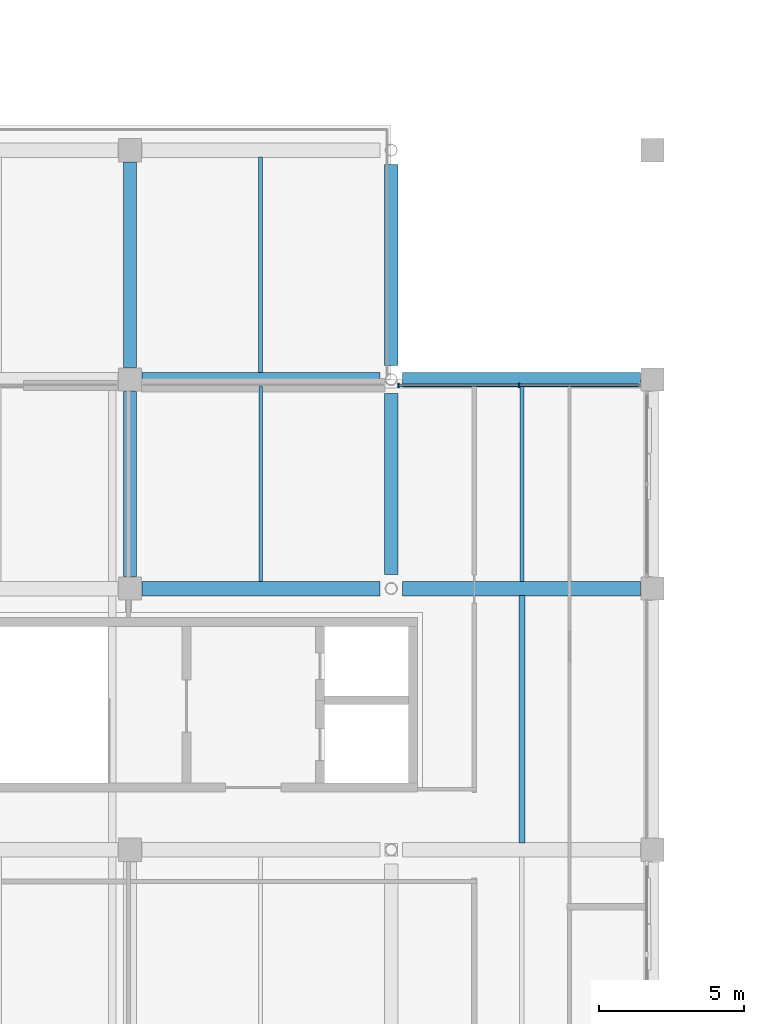
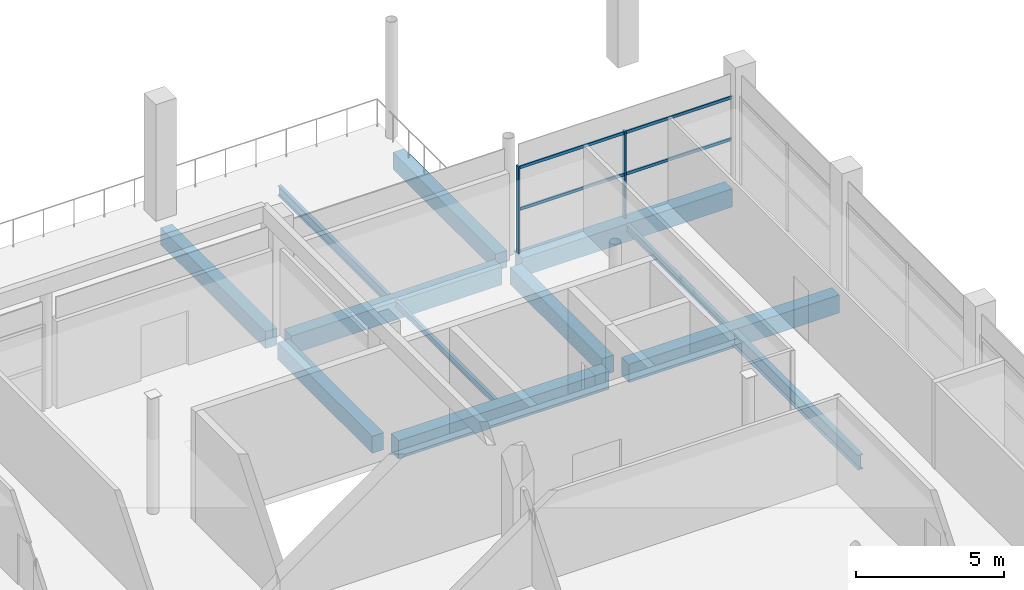
# One storey, part 29 of 114: 12 beams, 4 members, 1 element without a shape of its own.
"""IFC4 building model written with IfcOpenShell, lengths in metres."""

from ifc_helpers import new_model, si_unit, direction, frame, origin, origin_2d, place, context, subcontext, project, spatial, rectangle, i_section, extrude, material, material_profile, profile_set, type_object, element, aggregate, save


model = new_model("IFC4")

# Units and contexts
model_context = context("Model", 3, precision=1e-05, world=origin(), true_north=direction((0.0, 1.0)))
body_context = subcontext(model_context, "Body", "Model", "MODEL_VIEW")
ifc_project = project(units=[si_unit("LENGTHUNIT", "METRE"), si_unit("AREAUNIT", "SQUARE_METRE"), si_unit("VOLUMEUNIT", "CUBIC_METRE"), si_unit("PLANEANGLEUNIT", "RADIAN"), si_unit("MASSUNIT", "GRAM", prefix="KILO"), si_unit("THERMODYNAMICTEMPERATUREUNIT", "KELVIN"), si_unit("POWERUNIT", "WATT")], contexts=[model_context])

# Site, building, storey
site_placement = place(None, origin())
site = spatial("IfcSite", under=ifc_project, at=site_placement, CompositionType="ELEMENT")
building_placement = place(site_placement, origin())
building = spatial("IfcBuilding", under=site, at=building_placement, Name="Sindhuravela Promenade Stadium", CompositionType="ELEMENT")
storey_placement = place(building_placement, frame((0.0, 0.0, 24.0)))
storey = spatial("IfcBuildingStorey", under=building, at=storey_placement, Name="L05", CompositionType="ELEMENT", Elevation=24.0)

# Curtain wall, members
ifc_material_1 = material(Name="Anodised architectural aluminium 6063-T6", Category="aluminium")
curtain_wall_type = type_object("IfcCurtainWallType", Name="CW-MOD-4", PredefinedType="NOTDEFINED", material=ifc_material_1)
curtain_wall_placement = place(storey_placement, origin())
curtain_wall = element("IfcCurtainWall", 1, at=curtain_wall_placement, inside=storey, type_object=curtain_wall_type, Name="Bronze curtain wall CW-WEST-L05-075", PredefinedType="NOTDEFINED")
ifc_material_profile_1 = material_profile(ifc_material_1, rectangle(XDim=0.06005859375, YDim=0.159912109375, at=origin_2d()), Name="ALU M60x160")
ifc_profile_set_1 = profile_set([ifc_material_profile_1], Name="Anodised architectural aluminium 6063-T6")
member_type_1 = type_object("IfcMemberType", Name="CW-MUL-4", PredefinedType="MULLION", material=ifc_profile_set_1)
member_1_placement = place(storey_placement, frame((27.253173828125, 116.800048828125, 0.0), z_axis=(0.0, 0.0, 1.0), x_axis=(1.0, 0.0, 0.0)))
member_1 = element("IfcMember", 2, at=member_1_placement, type_object=member_type_1, Name="Curtain wall mullion CW-WEST-L05-075-M1", PredefinedType="MULLION", context=body_context, shape_type="SweptSolid", body=[
    extrude(rectangle(XDim=0.06005859375, YDim=0.159912109375, at=origin_2d()), origin(), (0.0, 0.0, 1.0), 3.580078125),
])
member_2_placement = place(storey_placement, frame((31.401611328125, 116.800048828125, 0.0), z_axis=(0.0, 0.0, 1.0), x_axis=(1.0, 0.0, 0.0)))
member_2 = element("IfcMember", 3, at=member_2_placement, type_object=member_type_1, Name="Curtain wall mullion CW-WEST-L05-075-M2", PredefinedType="MULLION", context=body_context, shape_type="SweptSolid", body=[
    extrude(rectangle(XDim=0.06005859375, YDim=0.159912109375, at=origin_2d()), origin(), (0.0, 0.0, 1.0), 3.580078125),
])
ifc_material_profile_2 = material_profile(ifc_material_1, rectangle(XDim=0.06005859375, YDim=0.1201171875, at=origin_2d()), Name="ALU T60x120")
ifc_profile_set_2 = profile_set([ifc_material_profile_2], Name="Anodised architectural aluminium 6063-T6")
member_type_2 = type_object("IfcMemberType", Name="CW-TRN-4", PredefinedType="USERDEFINED", material=ifc_profile_set_2)
member_3_placement = place(storey_placement, frame((27.228271484375, 116.800048828125, 1.7900390625), z_axis=(1.0, 0.0, 0.0), x_axis=(0.0, 1.0, 0.0)))
member_3 = element("IfcMember", 4, at=member_3_placement, type_object=member_type_2, Name="Curtain wall transom CW-WEST-L05-075-T1", ObjectType="TRANSOM", PredefinedType="USERDEFINED", context=body_context, shape_type="SweptSolid", body=[
    extrude(rectangle(XDim=0.06005859375, YDim=0.1201171875, at=origin_2d()), origin(), (0.0, 0.0, 1.0), 8.3466796875),
])
member_4_placement = place(storey_placement, frame((27.228271484375, 116.800048828125, 3.5), z_axis=(1.0, 0.0, 0.0), x_axis=(0.0, 1.0, 0.0)))
member_4 = element("IfcMember", 5, at=member_4_placement, type_object=member_type_2, Name="Curtain wall transom CW-WEST-L05-075-T2", ObjectType="TRANSOM", PredefinedType="USERDEFINED", context=body_context, shape_type="SweptSolid", body=[
    extrude(rectangle(XDim=0.06005859375, YDim=0.1201171875, at=origin_2d()), origin(), (0.0, 0.0, 1.0), 8.3466796875),
])
aggregate(curtain_wall, [member_1, member_2, member_3, member_4])

# Beams
ifc_material_2 = material(Name="Concrete M40", Category="concrete")
ifc_material_profile_3 = material_profile(ifc_material_2, rectangle(XDim=0.449951171875, YDim=0.699951171875, at=origin_2d()), Name="RC 450x700")
ifc_profile_set_3 = profile_set([ifc_material_profile_3], Name="Concrete M40")
beam_type_1 = type_object("IfcBeamType", Name="RC-BM-450x700", PredefinedType="BEAM", material=ifc_profile_set_3)
beam_1_placement = place(storey_placement, frame((18.0, 110.215087890625, -0.60009765625), z_axis=(0.0, 1.0, 0.0), x_axis=(-1.0, 0.0, 0.0)))
element("IfcBeam", 6, at=beam_1_placement, inside=storey, type_object=beam_type_1, Name="Primary beam GB07 WEST L05", PredefinedType="BEAM", context=body_context, shape_type="SweptSolid", body=[
    extrude(rectangle(XDim=0.449951171875, YDim=0.699951171875, at=origin_2d()), origin(), (0.0, 0.0, 1.0), 6.369873046875),
])
beam_2_placement = place(storey_placement, frame((18.0, 117.4150390625, -0.659912109375), z_axis=(0.0, 1.0, 0.0), x_axis=(-1.0, 0.0, 0.0)))
element("IfcBeam", 7, at=beam_2_placement, inside=storey, type_object=beam_type_1, Name="Primary beam GB07 WEST L05", PredefinedType="BEAM", context=body_context, shape_type="SweptSolid", body=[
    extrude(rectangle(XDim=0.449951171875, YDim=0.699951171875, at=origin_2d()), origin(), (0.0, 0.0, 1.0), 7.070068359375),
])
beam_3_placement = place(storey_placement, frame((27.0, 110.2900390625, -0.60009765625), z_axis=(0.0, 1.0, 0.0), x_axis=(-1.0, 0.0, 0.0)))
element("IfcBeam", 8, at=beam_3_placement, inside=storey, type_object=beam_type_1, Name="Primary beam GB07 WEST L05", PredefinedType="BEAM", context=body_context, shape_type="SweptSolid", body=[
    extrude(rectangle(XDim=0.449951171875, YDim=0.699951171875, at=origin_2d()), origin(), (0.0, 0.0, 1.0), 6.219970703125),
])
beam_4_placement = place(storey_placement, frame((27.0, 117.489990234375, -0.659912109375), z_axis=(0.0, 1.0, 0.0), x_axis=(-1.0, 0.0, 0.0)))
element("IfcBeam", 9, at=beam_4_placement, inside=storey, type_object=beam_type_1, Name="Primary beam GB07 WEST L05", PredefinedType="BEAM", context=body_context, shape_type="SweptSolid", body=[
    extrude(rectangle(XDim=0.449951171875, YDim=0.699951171875, at=origin_2d()), origin(), (0.0, 0.0, 1.0), 6.919921875),
])
ifc_material_profile_4 = material_profile(ifc_material_2, rectangle(XDim=0.5, YDim=0.75, at=origin_2d()), Name="RC 500x750")
ifc_profile_set_4 = profile_set([ifc_material_profile_4], Name="Concrete M40")
beam_type_2 = type_object("IfcBeamType", Name="RC-BM-500x750", PredefinedType="BEAM", material=ifc_profile_set_4)
for number, where, z_axis, x_axis, name in (
    (10, (18.4150390625, 109.800048828125, -0.625), (1.0, 0.0, 0.0), (0.0, 1.0, 0.0), "Primary girder GB06 WEST L05"),
    (11, (27.389892578125, 109.800048828125, -0.625), (1.0, 0.0, 0.0), (0.0, 1.0, 0.0), "Primary girder GB06 WEST L05"),
    (12, (18.4150390625, 117.0, -0.68505859375), (1.0, 0.0, 0.0), (0.0, 1.0, 0.0), "Primary girder GB06 WEST L05"),
    (13, (27.389892578125, 117.0, -0.625), (1.0, 0.0, 0.0), (0.0, 1.0, 0.0), "Primary girder GB06 WEST L05"),
):
    element("IfcBeam", number, at=place(storey_placement, frame(where, z_axis=z_axis, x_axis=x_axis)), inside=storey, type_object=beam_type_2, Name=name, PredefinedType="BEAM", context=body_context, shape_type="SweptSolid", body=[
        extrude(rectangle(XDim=0.5, YDim=0.75, at=origin_2d()), origin(), (0.0, 0.0, 1.0), 8.195068359375),
    ])
ifc_material_3 = material(Name="Steel E350 (IS 2062 E350BR)", Category="steel")
ifc_material_profile_5 = material_profile(ifc_material_3, i_section(OverallWidth=0.125, OverallDepth=0.25, WebThickness=0.0068359375, FlangeThickness=0.012451171875, FilletRadius=0.012939453125, at=origin_2d()), Name="ISMB 250")
ifc_profile_set_5 = profile_set([ifc_material_profile_5], Name="Steel E350 (IS 2062 E350BR)")
beam_type_3 = type_object("IfcBeamType", Name="ST-BM-MB250", PredefinedType="JOIST", material=ifc_profile_set_5)
beam_5_placement = place(storey_placement, frame((22.5, 110.0400390625, -0.375), z_axis=(0.0, 1.0, 0.0), x_axis=(-1.0, 0.0, 0.0)))
element("IfcBeam", 14, at=beam_5_placement, inside=storey, type_object=beam_type_3, Name="Secondary floor joist SB02 WEST L05", PredefinedType="JOIST", context=body_context, shape_type="SweptSolid", body=[
    extrude(i_section(OverallWidth=0.125, OverallDepth=0.25, WebThickness=0.0068359375, FlangeThickness=0.012451171875, FilletRadius=0.012939453125, at=origin_2d()), origin(), (0.0, 0.0, 1.0), 6.719970703125),
])
ifc_material_profile_6 = material_profile(ifc_material_3, i_section(OverallWidth=0.139892578125, OverallDepth=0.300048828125, WebThickness=0.0078125, FlangeThickness=0.01318359375, FilletRadius=0.013916015625, at=origin_2d()), Name="ISMB 300")
ifc_profile_set_6 = profile_set([ifc_material_profile_6], Name="Steel E350 (IS 2062 E350BR)")
beam_type_4 = type_object("IfcBeamType", Name="ST-BM-MB300", PredefinedType="JOIST", material=ifc_profile_set_6)
beam_6_placement = place(storey_placement, frame((31.5, 110.0400390625, -0.39990234375), z_axis=(0.0, 1.0, 0.0), x_axis=(-1.0, 0.0, 0.0)))
element("IfcBeam", 15, at=beam_6_placement, inside=storey, type_object=beam_type_4, Name="Secondary floor joist SB03 WEST L05", PredefinedType="JOIST", context=body_context, shape_type="SweptSolid", body=[
    extrude(i_section(OverallWidth=0.139892578125, OverallDepth=0.300048828125, WebThickness=0.0078125, FlangeThickness=0.01318359375, FilletRadius=0.013916015625, at=origin_2d()), origin(), (0.0, 0.0, 1.0), 6.719970703125),
])
ifc_material_profile_7 = material_profile(ifc_material_3, i_section(OverallWidth=0.139892578125, OverallDepth=0.39990234375, WebThickness=0.0087890625, FlangeThickness=0.01611328125, FilletRadius=0.013916015625, at=origin_2d()), Name="ISMB 400")
ifc_profile_set_7 = profile_set([ifc_material_profile_7], Name="Steel E350 (IS 2062 E350BR)")
beam_type_5 = type_object("IfcBeamType", Name="ST-BM-MB400", PredefinedType="BEAM", material=ifc_profile_set_7)
beam_7_placement = place(storey_placement, frame((22.5, 117.239990234375, -0.510009765625), z_axis=(0.0, 1.0, 0.0), x_axis=(-1.0, 0.0, 0.0)))
element("IfcBeam", 16, at=beam_7_placement, inside=storey, type_object=beam_type_5, Name="Secondary floor joist SB05 WEST L05", PredefinedType="BEAM", context=body_context, shape_type="SweptSolid", body=[
    extrude(i_section(OverallWidth=0.139892578125, OverallDepth=0.39990234375, WebThickness=0.0087890625, FlangeThickness=0.01611328125, FilletRadius=0.013916015625, at=origin_2d()), origin(), (0.0, 0.0, 1.0), 7.419921875),
])
ifc_material_profile_8 = material_profile(ifc_material_3, i_section(OverallWidth=0.2099609375, OverallDepth=0.60009765625, WebThickness=0.011962890625, FlangeThickness=0.020751953125, FilletRadius=0.02001953125, at=origin_2d()), Name="ISMB 600")
ifc_profile_set_8 = profile_set([ifc_material_profile_8], Name="Steel E350 (IS 2062 E350BR)")
beam_type_6 = type_object("IfcBeamType", Name="ST-BM-MB600", PredefinedType="BEAM", material=ifc_profile_set_8)
beam_8_placement = place(storey_placement, frame((31.5, 101.0400390625, -0.550048828125), z_axis=(0.0, 1.0, 0.0), x_axis=(-1.0, 0.0, 0.0)))
element("IfcBeam", 17, at=beam_8_placement, inside=storey, type_object=beam_type_6, Name="Secondary floor joist SB09 WEST L05", PredefinedType="BEAM", context=body_context, shape_type="SweptSolid", body=[
    extrude(i_section(OverallWidth=0.2099609375, OverallDepth=0.60009765625, WebThickness=0.011962890625, FlangeThickness=0.020751953125, FilletRadius=0.02001953125, at=origin_2d()), origin(), (0.0, 0.0, 1.0), 8.52001953125),
])

save(model, "model.ifc")
